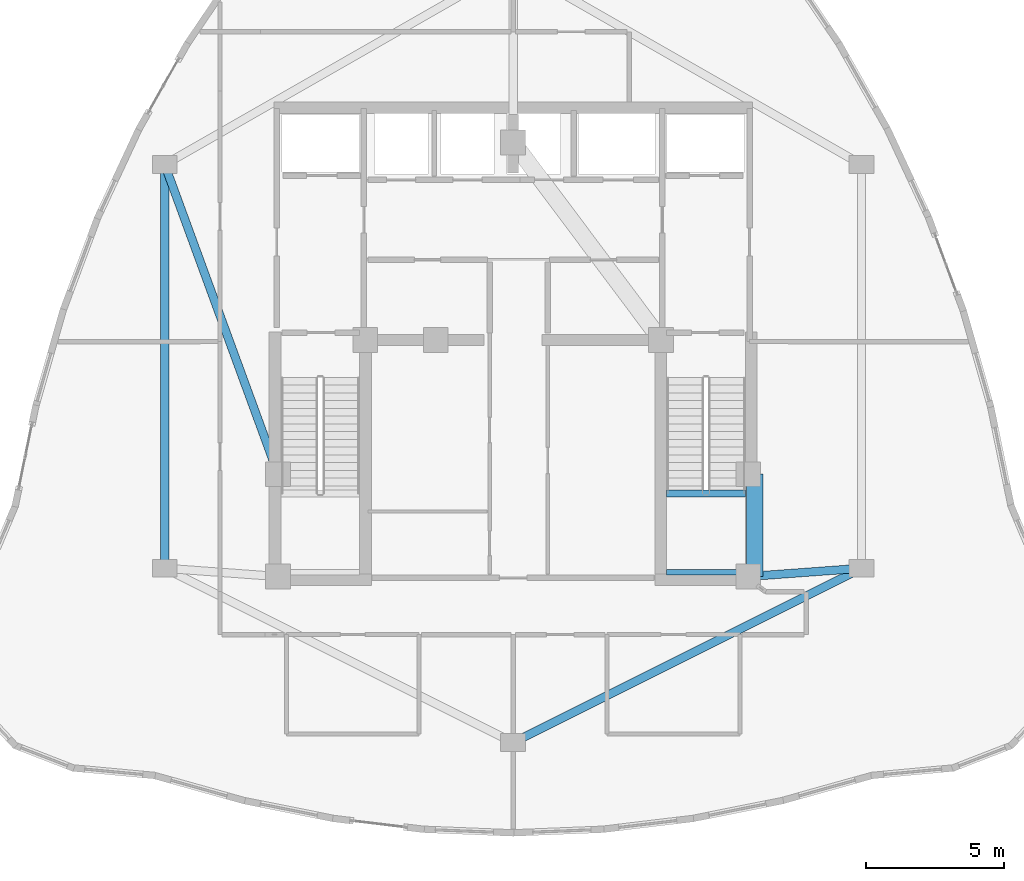
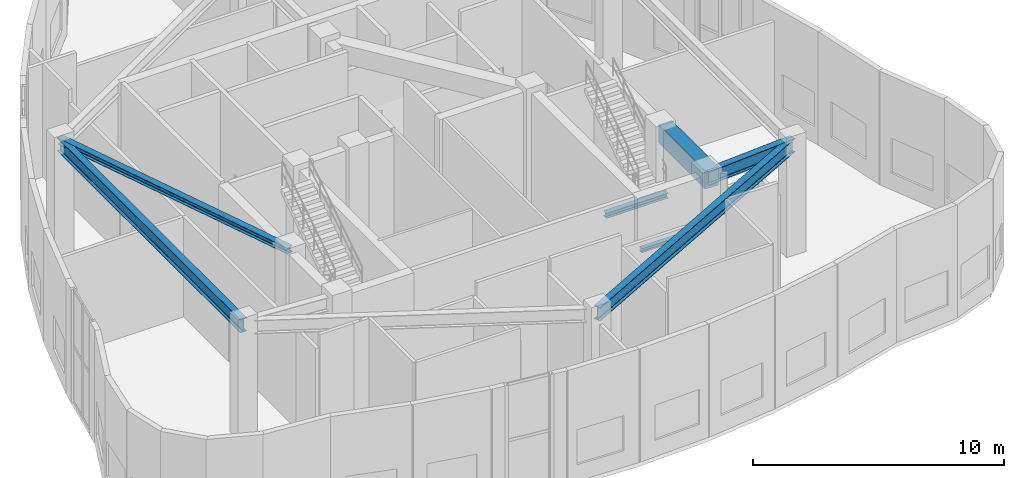
# One storey, part 5 of 16: 7 beams.
"""IFC4 building model written with IfcOpenShell, lengths in metres."""

from ifc_helpers import new_model, si_unit, direction, frame, origin, origin_2d, place, context, subcontext, project, spatial, rectangle, i_section, extrude, material, material_profile, profile_set, type_object, element, save


model = new_model("IFC4")

# Units and contexts
model_context = context("Model", 3, precision=1e-05, world=origin(), true_north=direction((0.0, 1.0)))
body_context = subcontext(model_context, "Body", "Model", "MODEL_VIEW")
ifc_project = project(units=[si_unit("LENGTHUNIT", "METRE"), si_unit("AREAUNIT", "SQUARE_METRE"), si_unit("VOLUMEUNIT", "CUBIC_METRE"), si_unit("PLANEANGLEUNIT", "RADIAN"), si_unit("MASSUNIT", "GRAM", prefix="KILO")], contexts=[model_context])

# Site, building, storey
site_placement = place(None, origin())
site = spatial("IfcSite", under=ifc_project, at=site_placement, CompositionType="ELEMENT")
building_placement = place(site_placement, origin())
building = spatial("IfcBuilding", under=site, at=building_placement, Name="Miruveldt Soraemaru", CompositionType="ELEMENT")
storey_placement = place(building_placement, frame((0.0, 0.0, 289.60009765625)))
storey = spatial("IfcBuildingStorey", under=building, at=storey_placement, Name="L78", CompositionType="ELEMENT", Elevation=289.60009765625)

# Beams
ifc_material_1 = material(Name="Steel SM355 (355 MPa)", Category="steel")
ifc_material_profile_1 = material_profile(ifc_material_1, i_section(OverallWidth=0.300048828125, OverallDepth=0.300048828125, WebThickness=0.010009765625, FlangeThickness=0.014892578125, FilletRadius=0.01806640625, at=origin_2d()), Name="Steel SM355 (355 MPa)", Category="steel")
ifc_profile_set_1 = profile_set([ifc_material_profile_1], Name="Steel SM355 (355 MPa)")
beam_type_1 = type_object("IfcBeamType", Name="BM-LNT-H300", PredefinedType="LINTEL", material=ifc_profile_set_1)
beam_1_placement = place(storey_placement, frame((31.39990234375, 50.39990234375, 5.35986328125), z_axis=(0.343770424598, -0.939053723262, 0.0), x_axis=(0.939053723262, 0.343770424598, 0.0)))
element("IfcBeam", 1, at=beam_1_placement, inside=storey, type_object=beam_type_1, Name="L78 West Lobby Lintel", PredefinedType="LINTEL", context=body_context, shape_type="SweptSolid", body=[
    extrude(i_section(OverallWidth=0.300048828125, OverallDepth=0.300048828125, WebThickness=0.010009765625, FlangeThickness=0.014892578125, FilletRadius=0.01806640625, at=origin_2d()), origin(), (0.0, 0.0, 1.0), 11.9267578125),
])
ifc_material_2 = material(Name="Concrete C60/75 (60 MPa)", Category="concrete")
ifc_material_profile_2 = material_profile(ifc_material_2, rectangle(XDim=0.60009765625, YDim=0.89990234375, at=origin_2d()), Name="Concrete C60/75 (60 MPa)", Category="concrete")
ifc_profile_set_2 = profile_set([ifc_material_profile_2], Name="Concrete C60/75 (60 MPa)")
beam_type_2 = type_object("IfcBeamType", Name="BM-RC-600x900", PredefinedType="BEAM", material=ifc_profile_set_2)
beam_2_placement = place(storey_placement, frame((52.72998046875, 35.5, 5.059814453125), z_axis=(0.0, 1.0, 0.0), x_axis=(-1.0, 0.0, 0.0)))
element("IfcBeam", 2, at=beam_2_placement, inside=storey, type_object=beam_type_2, Name="L78 Core Tie Beam 3", PredefinedType="BEAM", context=body_context, shape_type="SweptSolid", body=[
    extrude(rectangle(XDim=0.60009765625, YDim=0.89990234375, at=origin_2d()), origin(), (0.0, 0.0, 1.0), 3.699951171875),
])
ifc_material_profile_3 = material_profile(ifc_material_1, i_section(OverallWidth=0.300048828125, OverallDepth=0.64990234375, WebThickness=0.012939453125, FlangeThickness=0.02197265625, FilletRadius=0.02587890625, at=origin_2d()), Name="Steel SM355 (355 MPa)", Category="steel")
ifc_profile_set_3 = profile_set([ifc_material_profile_3], Name="Steel SM355 (355 MPa)")
beam_type_3 = type_object("IfcBeamType", Name="BM-ST-H650", PredefinedType="BEAM", material=ifc_profile_set_3)
beam_3_placement = place(storey_placement, frame((56.60009765625, 35.800048828125, 5.184814453125), z_axis=(-0.894427191, -0.4472135955, 0.0), x_axis=(0.4472135955, -0.894427191, 0.0)))
element("IfcBeam", 3, at=beam_3_placement, inside=storey, type_object=beam_type_3, Name="L78 Inner Ring Girder 3", PredefinedType="BEAM", context=body_context, shape_type="SweptSolid", body=[
    extrude(i_section(OverallWidth=0.300048828125, OverallDepth=0.64990234375, WebThickness=0.012939453125, FlangeThickness=0.02197265625, FilletRadius=0.02587890625, at=origin_2d()), origin(), (0.0, 0.0, 1.0), 14.08740234375),
])
beam_4_placement = place(storey_placement, frame((52.5, 35.5, 5.184814453125), z_axis=(0.997332985605, 0.072985723431, 0.0), x_axis=(-0.072985723431, 0.997332985605, 0.0)))
element("IfcBeam", 4, at=beam_4_placement, inside=storey, type_object=beam_type_3, Name="L78 Core-to-Inner Radial Girder 3", PredefinedType="BEAM", context=body_context, shape_type="SweptSolid", body=[
    extrude(i_section(OverallWidth=0.300048828125, OverallDepth=0.64990234375, WebThickness=0.012939453125, FlangeThickness=0.02197265625, FilletRadius=0.02587890625, at=origin_2d()), origin(), (0.0, 0.0, 1.0), 4.111083984375),
])
beam_5_placement = place(storey_placement, frame((31.39990234375, 35.800048828125, 5.184814453125), z_axis=(0.0, 1.0, 0.0), x_axis=(-1.0, 0.0, 0.0)))
element("IfcBeam", 5, at=beam_5_placement, inside=storey, type_object=beam_type_3, Name="L78 Inner Ring Girder 5", PredefinedType="BEAM", context=body_context, shape_type="SweptSolid", body=[
    extrude(i_section(OverallWidth=0.300048828125, OverallDepth=0.64990234375, WebThickness=0.012939453125, FlangeThickness=0.02197265625, FilletRadius=0.02587890625, at=origin_2d()), origin(), (0.0, 0.0, 1.0), 14.599853515625),
])
ifc_material_profile_4 = material_profile(ifc_material_1, i_section(OverallWidth=0.199951171875, OverallDepth=0.199951171875, WebThickness=0.008056640625, FlangeThickness=0.011962890625, FilletRadius=0.012939453125, at=origin_2d()), Name="Steel SM355 (355 MPa)", Category="steel")
ifc_profile_set_4 = profile_set([ifc_material_profile_4], Name="Steel SM355 (355 MPa)")
beam_type_4 = type_object("IfcBeamType", Name="BM-ST-LND200", PredefinedType="BEAM", material=ifc_profile_set_4)
beam_6_placement = place(storey_placement, frame((49.550048828125, 35.64990234375, 2.599853515625), z_axis=(1.0, 0.0, 0.0), x_axis=(0.0, 1.0, 0.0)))
element("IfcBeam", 6, at=beam_6_placement, inside=storey, type_object=beam_type_4, Name="L78 ST2 Landing End Beam 1B", PredefinedType="BEAM", context=body_context, shape_type="SweptSolid", body=[
    extrude(i_section(OverallWidth=0.199951171875, OverallDepth=0.199951171875, WebThickness=0.008056640625, FlangeThickness=0.011962890625, FilletRadius=0.012939453125, at=origin_2d()), origin(), (0.0, 0.0, 1.0), 2.849853515625),
])
ifc_material_profile_5 = material_profile(ifc_material_1, i_section(OverallWidth=0.25, OverallDepth=0.25, WebThickness=0.009033203125, FlangeThickness=0.013916015625, FilletRadius=0.01611328125, at=origin_2d()), Name="Steel SM355 (355 MPa)", Category="steel")
ifc_profile_set_5 = profile_set([ifc_material_profile_5], Name="Steel SM355 (355 MPa)")
beam_type_5 = type_object("IfcBeamType", Name="BM-ST-LND250", PredefinedType="BEAM", material=ifc_profile_set_5)
beam_7_placement = place(storey_placement, frame((49.550048828125, 38.5, 2.574951171875), z_axis=(1.0, 0.0, 0.0), x_axis=(0.0, 1.0, 0.0)))
element("IfcBeam", 7, at=beam_7_placement, inside=storey, type_object=beam_type_5, Name="L78 ST2 Landing Support Beam 1A", PredefinedType="BEAM", context=body_context, shape_type="SweptSolid", body=[
    extrude(i_section(OverallWidth=0.25, OverallDepth=0.25, WebThickness=0.009033203125, FlangeThickness=0.013916015625, FilletRadius=0.01611328125, at=origin_2d()), origin(), (0.0, 0.0, 1.0), 2.849853515625),
])

save(model, "model.ifc")
